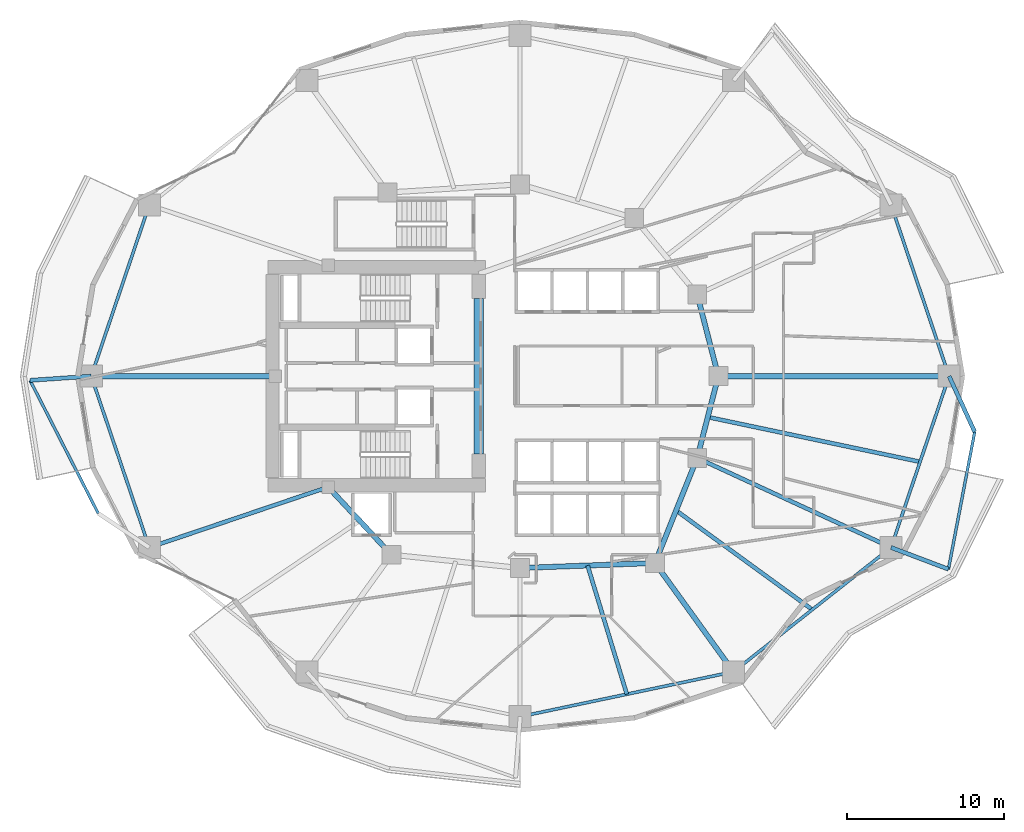
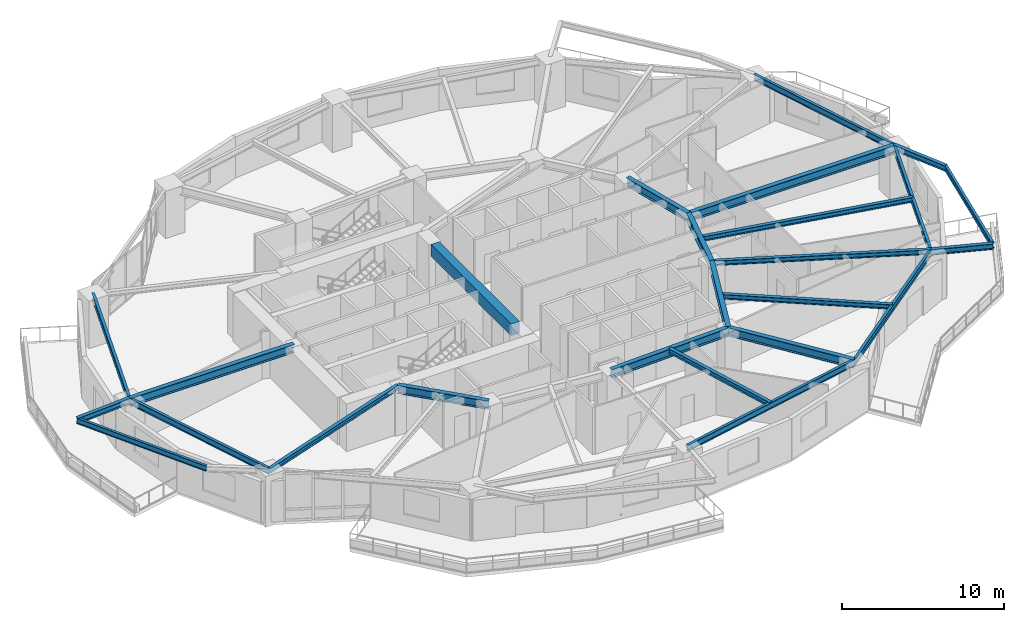
# One storey, part 3 of 14: 25 beams.
"""IFC4 building model written with IfcOpenShell, lengths in metres."""

import ifcopenshell
import ifcopenshell.guid

model = None  # the IFC model being written
_history = None  # IfcOwnerHistory: only IFC2X3 demands one
_inside = {}  # id of a spatial element -> (the spatial element, [elements in it])
_under = {}  # id of a project, library or spatial element -> (it, [spatial elements below it])
_declared = {}  # id of a project -> (the project, [libraries it declares])
_typed = {}  # id of a type object -> (the type object, [elements of that type])
_made_of = {}  # id of a material, layer set ... -> (it, [elements and type objects made of it])


def new_model(schema):
    """Start an empty IFC model of exactly this schema.

    Asked for "IFC4X3", IfcOpenShell would pick the latest addendum, in which some entities
    have other attributes; the version numbers below select the first issue.
    IFC2X3 requires an IfcOwnerHistory on every rooted entity: one is made here for all.
    """
    global model, _history
    if schema == "IFC4X3":
        model = ifcopenshell.file(schema_version=(4, 3, 0, 0))
    else:
        model = ifcopenshell.file(schema=schema)
    _inside.clear()
    _under.clear()
    _declared.clear()
    _typed.clear()
    _made_of.clear()
    _history = None
    if model.schema == "IFC2X3":
        org = make("IfcOrganization", Name="unknown")
        user = make(
            "IfcPersonAndOrganization",
            ThePerson=make("IfcPerson", FamilyName="unknown"),
            TheOrganization=org,
        )
        app = make(
            "IfcApplication",
            ApplicationDeveloper=org,
            Version="unknown",
            ApplicationFullName="unknown",
            ApplicationIdentifier="unknown",
        )
        _history = make(
            "IfcOwnerHistory",
            OwningUser=user,
            OwningApplication=app,
            ChangeAction="ADDED",
            CreationDate=0,
        )
    return model


def make(cls, **values):
    """One entity of the class cls with the attributes given. An attribute that is None is left unset."""
    return model.create_entity(
        cls, **{name: value for name, value in values.items() if value is not None}
    )


def rooted(cls, **values):
    """An entity with a GlobalId (a new one), such as an element, a storey or a relation."""
    return make(cls, GlobalId=ifcopenshell.guid.new(), OwnerHistory=_history, **values)


def si_unit(unit_type, name, prefix=None):
    """IfcSIUnit, for example si_unit("LENGTHUNIT", "METRE", prefix="MILLI")."""
    return make("IfcSIUnit", UnitType=unit_type, Prefix=prefix, Name=name)


def assignment(units):
    """IfcUnitAssignment: the units of a project."""
    return None if units is None else make("IfcUnitAssignment", Units=units)


def point(xyz):
    """IfcCartesianPoint."""
    return None if xyz is None else make("IfcCartesianPoint", Coordinates=xyz)


def direction(xyz):
    """IfcDirection."""
    return None if xyz is None else make("IfcDirection", DirectionRatios=xyz)


def frame(location, z_axis=None, x_axis=None):
    """IfcAxis2Placement3D, a coordinate frame: its origin and axes. An axis left out is left unset."""
    return make(
        "IfcAxis2Placement3D",
        Location=point(location),
        Axis=direction(z_axis),
        RefDirection=direction(x_axis),
    )


def frame_2d(location, x_axis=None):
    """IfcAxis2Placement2D, a coordinate frame in the plane: its origin and x axis."""
    return make(
        "IfcAxis2Placement2D", Location=point(location), RefDirection=direction(x_axis)
    )


def origin():
    """The frame at (0, 0, 0) with its axes left unset."""
    return frame((0.0, 0.0, 0.0))


def origin_2d():
    """The frame at (0, 0) in the plane with its x axis left unset."""
    return frame_2d((0.0, 0.0))


def place(relative_to, where):
    """IfcLocalPlacement: puts the frame where relative to a parent placement (None: the world)."""
    return make(
        "IfcLocalPlacement", PlacementRelTo=relative_to, RelativePlacement=where
    )


def context(
    kind, dimensions, precision=None, world=None, true_north=None, identifier=None
):
    """IfcGeometricRepresentationContext, for example the 3D "Model" context."""
    return make(
        "IfcGeometricRepresentationContext",
        ContextIdentifier=identifier,
        ContextType=kind,
        CoordinateSpaceDimension=dimensions,
        Precision=precision,
        WorldCoordinateSystem=world,
        TrueNorth=true_north,
    )


def subcontext(parent, identifier, kind, view, scale=None):
    """IfcGeometricRepresentationSubContext, for example "Body" below "Model"."""
    return make(
        "IfcGeometricRepresentationSubContext",
        ContextIdentifier=identifier,
        ContextType=kind,
        ParentContext=parent,
        TargetScale=scale,
        TargetView=view,
    )


def project(units=None, contexts=None):
    """IfcProject with its units and contexts."""
    return rooted(
        "IfcProject",
        Name="project",
        RepresentationContexts=contexts,
        UnitsInContext=assignment(units),
    )


def spatial(cls, under=None, at=None, **own):
    """A site, building, storey or space (cls), placed at a placement, below another one or the project."""
    s = rooted(cls, ObjectPlacement=at, **own)
    if under is not None:
        _under.setdefault(under.id(), (under, []))[1].append(s)
    return s


def profile(cls, at=None, kind="AREA", **sizes):
    """A parametric profile (cls). Its sizes go by their IFC names, for example OverallWidth=200.0."""
    return make(cls, ProfileType=kind, Position=at, **sizes)


def rectangle(**sizes):
    """IfcRectangleProfileDef."""
    return profile("IfcRectangleProfileDef", **sizes)


def i_section(**sizes):
    """IfcIShapeProfileDef."""
    return profile("IfcIShapeProfileDef", **sizes)


def extrude(swept, where, along, depth):
    """IfcExtrudedAreaSolid: the profile swept, set in the frame where, extruded along a direction by depth."""
    return make(
        "IfcExtrudedAreaSolid",
        SweptArea=swept,
        Position=where,
        ExtrudedDirection=direction(along),
        Depth=depth,
    )


def shape(context_of_items, identifier, shape_type, items):
    """IfcShapeRepresentation: the items that make up one representation, for example the "Body"."""
    return make(
        "IfcShapeRepresentation",
        ContextOfItems=context_of_items,
        RepresentationIdentifier=identifier,
        RepresentationType=shape_type,
        Items=items,
    )


def material(Name=None, Category=None):
    """IfcMaterial."""
    return make("IfcMaterial", Name=Name, Category=Category)


def material_profile(
    of_material, cross_section, Name=None, Category=None, Priority=None
):
    """IfcMaterialProfile: a cross section and its material."""
    return make(
        "IfcMaterialProfile",
        Name=Name,
        Material=of_material,
        Profile=cross_section,
        Priority=Priority,
        Category=Category,
    )


def profile_set(profiles, Name=None, composite=None):
    """IfcMaterialProfileSet."""
    return make(
        "IfcMaterialProfileSet",
        Name=Name,
        MaterialProfiles=profiles,
        CompositeProfile=composite,
    )


def made_of(thing, what):
    """Note that an element or type object is made of a material, layer set ...; save() writes the relation."""
    if what is not None:
        _made_of.setdefault(what.id(), (what, []))[1].append(thing)
    return thing


def type_object(cls, material=None, **own):
    """A type object (cls), such as IfcWallType, which elements share."""
    return made_of(rooted(cls, **own), material)


def element(
    cls,
    number,
    at=None,
    inside=None,
    cuts=None,
    type_object=None,
    material=None,
    context=None,
    identifier="Body",
    shape_type=None,
    held_by="IfcProductDefinitionShape",
    body=None,
    shapes=None,
    **own,
):
    """One element of the class cls, such as IfcWall. Its Tag is "e" and its number.

    at: its placement. inside: the storey or other place that contains it. cuts: it is an
    opening in that element (IfcRelVoidsElement). A single representation is given by context,
    identifier, shape_type and body (its items); several are given by shapes. held_by: the class
    of the entity that holds the representations. save() writes the other relations.
    """
    e = rooted(cls, Tag="e%d" % number, ObjectPlacement=at, **own)
    if body is not None:
        shapes = [shape(context, identifier, shape_type, body)]
    if shapes is not None:
        e.Representation = make(held_by, Representations=shapes)
    if inside is not None:
        _inside.setdefault(inside.id(), (inside, []))[1].append(e)
    if cuts is not None:
        rooted(
            "IfcRelVoidsElement", RelatingBuildingElement=cuts, RelatedOpeningElement=e
        )
    if type_object is not None:
        _typed.setdefault(type_object.id(), (type_object, []))[1].append(e)
    return made_of(e, material)


def aggregate(whole, parts):
    """IfcRelAggregates: a whole, such as a stair, and the parts it consists of."""
    return rooted("IfcRelAggregates", RelatingObject=whole, RelatedObjects=parts)


def save(model, path):
    """Write the relations noted so far, then the file.

    IfcRelAggregates (storeys below a building ...), IfcRelContainedInSpatialStructure (elements
    in a storey), IfcRelDefinesByType, IfcRelAssociatesMaterial and IfcRelDeclares: one each for
    every whole, place, type object, material and project.
    """
    for whole, parts in _under.values():
        aggregate(whole, parts)
    for where, things in _inside.values():
        rooted(
            "IfcRelContainedInSpatialStructure",
            RelatedElements=things,
            RelatingStructure=where,
        )
    for kind, things in _typed.values():
        rooted("IfcRelDefinesByType", RelatedObjects=things, RelatingType=kind)
    for what, things in _made_of.values():
        rooted("IfcRelAssociatesMaterial", RelatedObjects=things, RelatingMaterial=what)
    for by, libraries in _declared.values():
        rooted("IfcRelDeclares", RelatingContext=by, RelatedDefinitions=libraries)
    model.write(path)


model = new_model("IFC4")

# Units and contexts
model_context = context("Model", 3, precision=1e-05, world=origin(), true_north=direction((0.0, 1.0)))
body_context = subcontext(model_context, "Body", "Model", "MODEL_VIEW")
ifc_project = project(units=[si_unit("LENGTHUNIT", "METRE"), si_unit("AREAUNIT", "SQUARE_METRE"), si_unit("VOLUMEUNIT", "CUBIC_METRE"), si_unit("PLANEANGLEUNIT", "RADIAN"), si_unit("MASSUNIT", "GRAM", prefix="KILO")], contexts=[model_context])

# Site, building, storey
site_placement = place(None, origin())
site = spatial("IfcSite", under=ifc_project, at=site_placement, CompositionType="ELEMENT")
building_placement = place(site_placement, origin())
building = spatial("IfcBuilding", under=site, at=building_placement, Name="Kolvaren Gate Tower and Convention Centre", CompositionType="ELEMENT")
storey_placement = place(building_placement, frame((0.0, 0.0, 45.75)))
storey = spatial("IfcBuildingStorey", under=building, at=storey_placement, Name="L10", CompositionType="ELEMENT", Elevation=45.75)

# Beams
ifc_material_1 = material(Name="Structural steel ASTM A992 Grade 345 MPa", Category="steel")
ifc_material_profile_1 = material_profile(ifc_material_1, i_section(OverallWidth=0.260009765625, OverallDepth=0.419921875, WebThickness=0.013427734375, FlangeThickness=0.0224609375, at=origin_2d()), Name="W410X132")
ifc_profile_set_1 = profile_set([ifc_material_profile_1], Name="Structural steel ASTM A992 Grade 345 MPa")
beam_type_1 = type_object("IfcBeamType", Name="STR-BM-W410X132", PredefinedType="BEAM", material=ifc_profile_set_1)
for number, where, z_axis, x_axis, name in (
    (1, (2.85009765625, 27.0, 3.360595703125), (-0.997678089324, -0.068106020905, 0.0), (0.068106020905, -0.997678089324, 0.0), "Tower L11 Planted Balcony Outrigger Cantilever BC-2A"),
    (2, (53.710205078125, 16.1064453125, 3.360595703125), (0.935293537157, -0.35387285761, 0.0), (0.35387285761, 0.935293537157, 0.0), "Tower L11 Planted Balcony Outrigger Cantilever BC-4A"),
):
    element("IfcBeam", number, at=place(storey_placement, frame(where, z_axis=z_axis, x_axis=x_axis)), inside=storey, type_object=beam_type_1, Name=name, PredefinedType="BEAM", context=body_context, shape_type="SweptSolid", body=[
        extrude(i_section(OverallWidth=0.260009765625, OverallDepth=0.419921875, WebThickness=0.013427734375, FlangeThickness=0.0224609375, at=origin_2d()), origin(), (0.0, 0.0, 1.0), 3.900146484375),
    ])
beam_1_placement = place(storey_placement, frame((57.39990234375, 27.0, 3.360595703125), z_axis=(0.417803301824, -0.908537506648, 0.0), x_axis=(0.908537506648, 0.417803301824, 0.0)))
element("IfcBeam", 3, at=beam_1_placement, inside=storey, type_object=beam_type_1, Name="Tower L11 Planted Balcony Outrigger Cantilever BC-4B", PredefinedType="BEAM", context=body_context, shape_type="SweptSolid", body=[
    extrude(i_section(OverallWidth=0.260009765625, OverallDepth=0.419921875, WebThickness=0.013427734375, FlangeThickness=0.0224609375, at=origin_2d()), origin(), (0.0, 0.0, 1.0), 3.89990234375),
])
ifc_material_profile_2 = material_profile(ifc_material_1, i_section(OverallWidth=0.327880859375, OverallDepth=0.6279296875, WebThickness=0.0166015625, FlangeThickness=0.027587890625, at=origin_2d()), Name="W610X217")
ifc_profile_set_2 = profile_set([ifc_material_profile_2], Name="Structural steel ASTM A992 Grade 345 MPa")
beam_type_2 = type_object("IfcBeamType", Name="STR-BM-W610X217", PredefinedType="BEAM", material=ifc_profile_set_2)
beam_2_placement = place(storey_placement, frame((42.72509765625, 27.0, 3.256103515625), z_axis=(-0.250091133936, -0.968222301296, 0.0), x_axis=(0.968222301296, -0.250091133936, 0.0)))
element("IfcBeam", 4, at=beam_2_placement, inside=storey, type_object=beam_type_2, Name="Tower L10 Primary Ring Girder G-01", PredefinedType="BEAM", context=body_context, shape_type="SweptSolid", body=[
    extrude(i_section(OverallWidth=0.327880859375, OverallDepth=0.6279296875, WebThickness=0.0166015625, FlangeThickness=0.027587890625, at=origin_2d()), origin(), (0.0, 0.0, 1.0), 5.3701171875),
])
beam_3_placement = place(storey_placement, frame((17.9140625, 19.949951171875, 3.256103515625), z_axis=(0.682557592987, -0.730831808459, 0.0), x_axis=(0.730831808459, 0.682557592987, 0.0)))
element("IfcBeam", 5, at=beam_3_placement, inside=storey, type_object=beam_type_2, Name="Tower L10 Primary Ring Girder G-06", PredefinedType="BEAM", context=body_context, shape_type="SweptSolid", body=[
    extrude(i_section(OverallWidth=0.327880859375, OverallDepth=0.6279296875, WebThickness=0.0166015625, FlangeThickness=0.027587890625, at=origin_2d()), origin(), (0.0, 0.0, 1.0), 5.88671875),
])
beam_4_placement = place(storey_placement, frame((30.125, 14.800048828125, 3.256103515625), z_axis=(0.999301712453, 0.037364254142, 0.0), x_axis=(-0.037364254142, 0.999301712453, 0.0)))
element("IfcBeam", 6, at=beam_4_placement, inside=storey, type_object=beam_type_2, Name="Tower L10 Primary Ring Girder G-08", PredefinedType="BEAM", context=body_context, shape_type="SweptSolid", body=[
    extrude(i_section(OverallWidth=0.327880859375, OverallDepth=0.6279296875, WebThickness=0.0166015625, FlangeThickness=0.027587890625, at=origin_2d()), origin(), (0.0, 0.0, 1.0), 8.579345703125),
])
beam_5_placement = place(storey_placement, frame((38.6982421875, 15.12060546875, 3.256103515625), z_axis=(0.372811100169, 0.927907260232, 0.0), x_axis=(-0.927907260232, 0.372811100169, 0.0)))
element("IfcBeam", 7, at=beam_5_placement, inside=storey, type_object=beam_type_2, Name="Tower L10 Primary Ring Girder G-09", PredefinedType="BEAM", context=body_context, shape_type="SweptSolid", body=[
    extrude(i_section(OverallWidth=0.327880859375, OverallDepth=0.6279296875, WebThickness=0.0166015625, FlangeThickness=0.027587890625, at=origin_2d()), origin(), (0.0, 0.0, 1.0), 7.198974609375),
])
beam_6_placement = place(storey_placement, frame((42.72509765625, 27.0, 3.256103515625), z_axis=(-0.250091133936, 0.968222301296, 0.0), x_axis=(-0.968222301296, -0.250091133936, 0.0)))
element("IfcBeam", 8, at=beam_6_placement, inside=storey, type_object=beam_type_2, Name="Tower L10 Primary Ring Girder G-12", PredefinedType="BEAM", context=body_context, shape_type="SweptSolid", body=[
    extrude(i_section(OverallWidth=0.327880859375, OverallDepth=0.6279296875, WebThickness=0.0166015625, FlangeThickness=0.027587890625, at=origin_2d()), origin(), (0.0, 0.0, 1.0), 5.3701171875),
])
beam_7_placement = place(storey_placement, frame((42.72509765625, 27.0, 3.256103515625), z_axis=(1.0, 0.0, 0.0), x_axis=(0.0, 1.0, 0.0)))
element("IfcBeam", 9, at=beam_7_placement, inside=storey, type_object=beam_type_2, Name="Tower L10 Radial Floor Girder RB-01", PredefinedType="BEAM", context=body_context, shape_type="SweptSolid", body=[
    extrude(i_section(OverallWidth=0.327880859375, OverallDepth=0.6279296875, WebThickness=0.0166015625, FlangeThickness=0.027587890625, at=origin_2d()), origin(), (0.0, 0.0, 1.0), 14.6748046875),
])
beam_8_placement = place(storey_placement, frame((14.550048828125, 27.0, 3.256103515625), z_axis=(-1.0, 0.0, 0.0), x_axis=(0.0, -1.0, 0.0)))
element("IfcBeam", 10, at=beam_8_placement, inside=storey, type_object=beam_type_2, Name="Tower L10 Radial Floor Girder RB-07", PredefinedType="BEAM", context=body_context, shape_type="SweptSolid", body=[
    extrude(i_section(OverallWidth=0.327880859375, OverallDepth=0.6279296875, WebThickness=0.0166015625, FlangeThickness=0.027587890625, at=origin_2d()), origin(), (0.0, 0.0, 1.0), 11.699951171875),
])
beam_9_placement = place(storey_placement, frame((38.6982421875, 15.12060546875, 3.256103515625), z_axis=(0.585208374732, -0.810882949718, 0.0), x_axis=(0.810882949718, 0.585208374732, 0.0)))
element("IfcBeam", 11, at=beam_9_placement, inside=storey, type_object=beam_type_2, Name="Tower L10 Radial Floor Girder RB-11", PredefinedType="BEAM", context=body_context, shape_type="SweptSolid", body=[
    extrude(i_section(OverallWidth=0.327880859375, OverallDepth=0.6279296875, WebThickness=0.0166015625, FlangeThickness=0.027587890625, at=origin_2d()), origin(), (0.0, 0.0, 1.0), 8.5302734375),
])
ifc_material_profile_3 = material_profile(ifc_material_1, i_section(OverallWidth=0.2548828125, OverallDepth=0.35693359375, WebThickness=0.010498046875, FlangeThickness=0.018310546875, at=origin_2d()), Name="W360X101")
ifc_profile_set_3 = profile_set([ifc_material_profile_3], Name="Structural steel ASTM A992 Grade 345 MPa")
beam_type_3 = type_object("IfcBeamType", Name="STR-JS-W360X101", PredefinedType="JOIST", material=ifc_profile_set_3)
beam_10_placement = place(storey_placement, frame((17.9140625, 19.949951171875, 3.3916015625), z_axis=(-0.947373842609, -0.320129352512, 0.0), x_axis=(0.320129352512, -0.947373842609, 0.0)))
element("IfcBeam", 12, at=beam_10_placement, inside=storey, type_object=beam_type_3, Name="Tower L10 Radial Floor Girder RB-08", PredefinedType="JOIST", context=body_context, shape_type="SweptSolid", body=[
    extrude(i_section(OverallWidth=0.2548828125, OverallDepth=0.35693359375, WebThickness=0.010498046875, FlangeThickness=0.018310546875, at=origin_2d()), origin(), (0.0, 0.0, 1.0), 12.006103515625),
])
beam_11_placement = place(storey_placement, frame((41.382080078125, 21.800537109375, 3.3916015625), z_axis=(0.907842006347, -0.419312403241, 0.0), x_axis=(0.419312403241, 0.907842006347, 0.0)))
element("IfcBeam", 13, at=beam_11_placement, inside=storey, type_object=beam_type_3, Name="Tower L10 Radial Floor Girder RB-12", PredefinedType="JOIST", context=body_context, shape_type="SweptSolid", body=[
    extrude(i_section(OverallWidth=0.2548828125, OverallDepth=0.35693359375, WebThickness=0.010498046875, FlangeThickness=0.018310546875, at=origin_2d()), origin(), (0.0, 0.0, 1.0), 13.57958984375),
])
beam_12_placement = place(storey_placement, frame((34.41162109375, 14.960205078125, 3.3916015625), z_axis=(0.291750890749, -0.956494337541, 0.0), x_axis=(0.956494337541, 0.291750890749, 0.0)))
element("IfcBeam", 14, at=beam_12_placement, inside=storey, type_object=beam_type_3, Name="Tower L10 Secondary Composite Floor Joist J-10.1", PredefinedType="JOIST", context=body_context, shape_type="SweptSolid", body=[
    extrude(i_section(OverallWidth=0.2548828125, OverallDepth=0.35693359375, WebThickness=0.010498046875, FlangeThickness=0.018310546875, at=origin_2d()), origin(), (0.0, 0.0, 1.0), 8.5556640625),
])
beam_13_placement = place(storey_placement, frame((40.040283203125, 18.46044921875, 3.3916015625), z_axis=(0.808411716387, -0.588617445212, 0.0), x_axis=(0.588617445212, 0.808411716387, 0.0)))
element("IfcBeam", 15, at=beam_13_placement, inside=storey, type_object=beam_type_3, Name="Tower L10 Secondary Composite Floor Joist J-11.1", PredefinedType="JOIST", context=body_context, shape_type="SweptSolid", body=[
    extrude(i_section(OverallWidth=0.2548828125, OverallDepth=0.35693359375, WebThickness=0.010498046875, FlangeThickness=0.018310546875, at=origin_2d()), origin(), (0.0, 0.0, 1.0), 10.712158203125),
])
beam_14_placement = place(storey_placement, frame((42.0537109375, 24.400146484375, 3.3916015625), z_axis=(0.978483842038, -0.206323461756, 0.0), x_axis=(0.206323461756, 0.978483842038, 0.0)))
element("IfcBeam", 16, at=beam_14_placement, inside=storey, type_object=beam_type_3, Name="Tower L10 Secondary Composite Floor Joist J-12.1", PredefinedType="JOIST", context=body_context, shape_type="SweptSolid", body=[
    extrude(i_section(OverallWidth=0.2548828125, OverallDepth=0.35693359375, WebThickness=0.010498046875, FlangeThickness=0.018310546875, at=origin_2d()), origin(), (0.0, 0.0, 1.0), 13.79833984375),
])
ifc_material_2 = material(Name="Concrete C60/75", Category="concrete")
ifc_material_profile_4 = material_profile(ifc_material_2, rectangle(XDim=0.60009765625, YDim=0.89990234375, at=origin_2d()), Name="RC-BM-600X900")
ifc_profile_set_4 = profile_set([ifc_material_profile_4], Name="Concrete C60/75")
beam_type_4 = type_object("IfcBeamType", Name="STR-LN-RC600X900", PredefinedType="LINTEL", material=ifc_profile_set_4)
beam_15_placement = place(storey_placement, frame((27.5, 22.050048828125, 3.1201171875), z_axis=(0.0, 1.0, 0.0), x_axis=(-1.0, 0.0, 0.0)))
element("IfcBeam", 17, at=beam_15_placement, inside=storey, type_object=beam_type_4, Name="Tower L10 Core Ductile Coupling Beam CB-01", PredefinedType="LINTEL", context=body_context, shape_type="SweptSolid", body=[
    extrude(rectangle(XDim=0.60009765625, YDim=0.89990234375, at=origin_2d()), origin(), (0.0, 0.0, 1.0), 9.89990234375),
])
ifc_material_profile_5 = material_profile(ifc_material_1, i_section(OverallWidth=0.180908203125, OverallDepth=0.4169921875, WebThickness=0.010986328125, FlangeThickness=0.018310546875, at=origin_2d()), Name="W410X85")
ifc_profile_set_5 = profile_set([ifc_material_profile_5], Name="Structural steel ASTM A992 Grade 345 MPa")
beam_type_5 = type_object("IfcBeamType", Name="STR-SP-W410X85", PredefinedType="SPANDREL", material=ifc_profile_set_5)
beam_16_placement = place(storey_placement, frame((-1.041015625, 26.734375, 3.362060546875), z_axis=(0.456167042061, -0.889894167717, 0.0), x_axis=(0.889894167717, 0.456167042061, 0.0)))
element("IfcBeam", 18, at=beam_16_placement, inside=storey, type_object=beam_type_5, Name="Tower L11 Planted Balcony Header Tie Beam BT-2", PredefinedType="SPANDREL", context=body_context, shape_type="SweptSolid", body=[
    extrude(i_section(OverallWidth=0.180908203125, OverallDepth=0.4169921875, WebThickness=0.010986328125, FlangeThickness=0.018310546875, at=origin_2d()), origin(), (0.0, 0.0, 1.0), 9.5087890625),
])
beam_17_placement = place(storey_placement, frame((57.35791015625, 14.726318359375, 3.362060546875), z_axis=(0.188028301932, 0.98216361044, 0.0), x_axis=(-0.98216361044, 0.188028301932, 0.0)))
element("IfcBeam", 19, at=beam_17_placement, inside=storey, type_object=beam_type_5, Name="Tower L11 Planted Balcony Header Tie Beam BT-4", PredefinedType="SPANDREL", context=body_context, shape_type="SweptSolid", body=[
    extrude(i_section(OverallWidth=0.180908203125, OverallDepth=0.4169921875, WebThickness=0.010986328125, FlangeThickness=0.018310546875, at=origin_2d()), origin(), (0.0, 0.0, 1.0), 8.888916015625),
])
ifc_material_profile_6 = material_profile(ifc_material_1, i_section(OverallWidth=0.194091796875, OverallDepth=0.468994140625, WebThickness=0.0126953125, FlangeThickness=0.0205078125, at=origin_2d()), Name="W460X106")
ifc_profile_set_6 = profile_set([ifc_material_profile_6], Name="Structural steel ASTM A992 Grade 345 MPa")
beam_type_6 = type_object("IfcBeamType", Name="STR-SP-W460X106", PredefinedType="SPANDREL", material=ifc_profile_set_6)
for number, where, z_axis, x_axis, name in (
    (20, (57.39990234375, 27.0, 3.33544921875), (-0.320802733798, 0.947146032029, 0.0), (-0.947146032029, -0.320802733798, 0.0), "Tower L10 Perimeter Spandrel Beam SP-01"),
    (21, (6.539794921875, 37.8935546875, 3.33544921875), (-0.320802733798, -0.947146032029, 0.0), (0.947146032029, -0.320802733798, 0.0), "Tower L10 Perimeter Spandrel Beam SP-06"),
    (22, (2.85009765625, 27.0, 3.33544921875), (0.320802733798, -0.947146032029, 0.0), (0.947146032029, 0.320802733798, 0.0), "Tower L10 Perimeter Spandrel Beam SP-07"),
):
    element("IfcBeam", number, at=place(storey_placement, frame(where, z_axis=z_axis, x_axis=x_axis)), inside=storey, type_object=beam_type_6, Name=name, PredefinedType="SPANDREL", context=body_context, shape_type="SweptSolid", body=[
        extrude(i_section(OverallWidth=0.194091796875, OverallDepth=0.468994140625, WebThickness=0.0126953125, FlangeThickness=0.0205078125, at=origin_2d()), origin(), (0.0, 0.0, 1.0), 11.50146484375),
    ])
beam_18_placement = place(storey_placement, frame((30.125, 5.35009765625, 3.33544921875), z_axis=(0.978583407863, 0.205850707685, 0.0), x_axis=(-0.205850707685, 0.978583407863, 0.0)))
element("IfcBeam", 23, at=beam_18_placement, inside=storey, type_object=beam_type_6, Name="Tower L10 Perimeter Spandrel Beam SP-10", PredefinedType="SPANDREL", context=body_context, shape_type="SweptSolid", body=[
    extrude(i_section(OverallWidth=0.194091796875, OverallDepth=0.468994140625, WebThickness=0.0126953125, FlangeThickness=0.0205078125, at=origin_2d()), origin(), (0.0, 0.0, 1.0), 13.862060546875),
])
beam_19_placement = place(storey_placement, frame((43.690185546875, 8.20361328125, 3.33544921875), z_axis=(0.785176498861, 0.619272044933, 0.0), x_axis=(-0.619272044933, 0.785176498861, 0.0)))
element("IfcBeam", 24, at=beam_19_placement, inside=storey, type_object=beam_type_6, Name="Tower L10 Perimeter Spandrel Beam SP-11", PredefinedType="SPANDREL", context=body_context, shape_type="SweptSolid", body=[
    extrude(i_section(OverallWidth=0.194091796875, OverallDepth=0.468994140625, WebThickness=0.0126953125, FlangeThickness=0.0205078125, at=origin_2d()), origin(), (0.0, 0.0, 1.0), 12.761474609375),
])
beam_20_placement = place(storey_placement, frame((53.710205078125, 16.1064453125, 3.33544921875), z_axis=(0.320802733798, 0.947146032029, 0.0), x_axis=(-0.947146032029, 0.320802733798, 0.0)))
element("IfcBeam", 25, at=beam_20_placement, inside=storey, type_object=beam_type_6, Name="Tower L10 Perimeter Spandrel Beam SP-12", PredefinedType="SPANDREL", context=body_context, shape_type="SweptSolid", body=[
    extrude(i_section(OverallWidth=0.194091796875, OverallDepth=0.468994140625, WebThickness=0.0126953125, FlangeThickness=0.0205078125, at=origin_2d()), origin(), (0.0, 0.0, 1.0), 11.50146484375),
])

save(model, "model.ifc")
